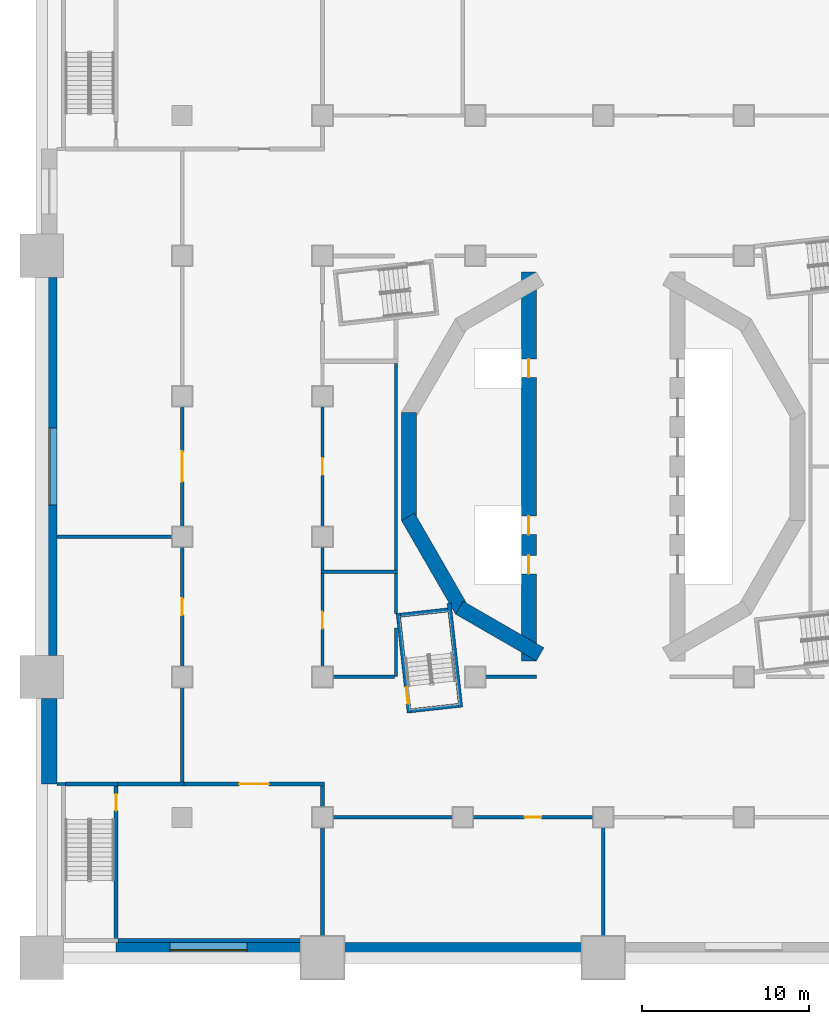
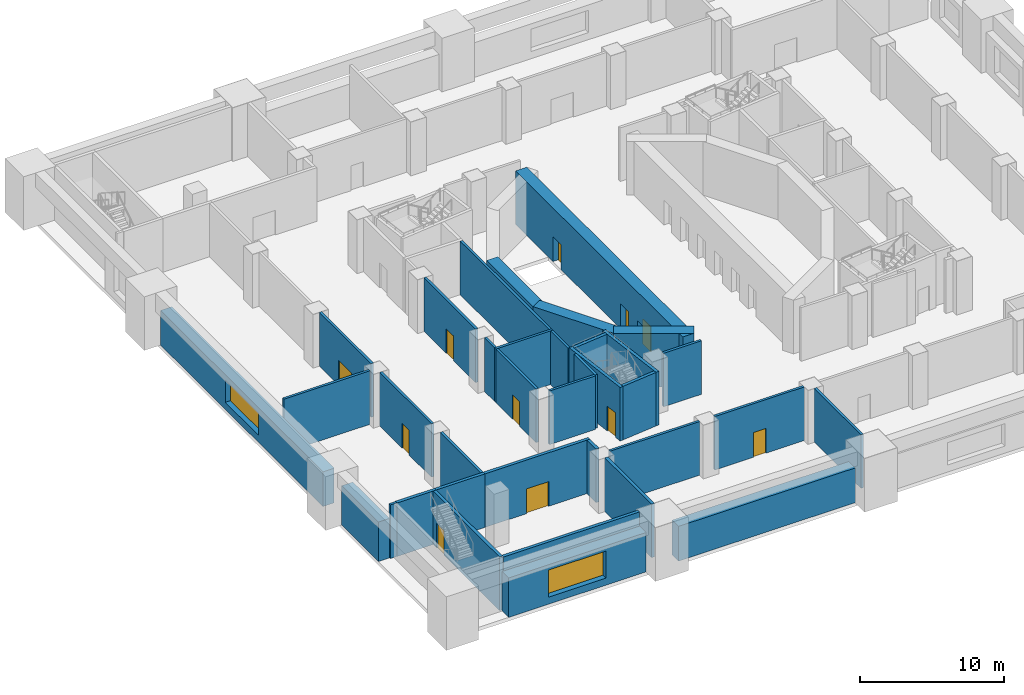
# One storey, part 2 of 17: 36 walls, 11 doors, 2 windows, 13 openings.
"""IFC4 building model written with IfcOpenShell, lengths in metres."""

from ifc_helpers import new_model, si_unit, direction, frame, frame_2d, origin, place, context, subcontext, project, spatial, rectangle, extrude, material, layer, layer_set, type_object, element, fill, save


model = new_model("IFC4")

# Units and contexts
model_context = context("Model", 3, precision=1e-05, world=origin(), true_north=direction((0.0, 1.0)))
body_context = subcontext(model_context, "Body", "Model", "MODEL_VIEW")
ifc_project = project(units=[si_unit("LENGTHUNIT", "METRE"), si_unit("AREAUNIT", "SQUARE_METRE"), si_unit("VOLUMEUNIT", "CUBIC_METRE"), si_unit("PLANEANGLEUNIT", "RADIAN"), si_unit("MASSUNIT", "GRAM", prefix="KILO")], contexts=[model_context])

# Site, building, storey
site_placement = place(None, origin())
site = spatial("IfcSite", under=ifc_project, at=site_placement, CompositionType="ELEMENT")
building_placement = place(site_placement, origin())
building = spatial("IfcBuilding", under=site, at=building_placement, Name="Cantera Rosa Tower", CompositionType="ELEMENT")
storey_placement = place(building_placement, frame((0.0, 0.0, 32.0)))
storey = spatial("IfcBuildingStorey", under=building, at=storey_placement, Name="L05", CompositionType="ELEMENT", Elevation=32.0)

# Walls
ifc_material_1 = material(Name="Masonry blockwork", Category="masonry")
ifc_layer_1 = layer(ifc_material_1, 0.199951171875)
ifc_layer_set_1 = layer_set([ifc_layer_1], Name="Blockwork partition 200")
wall_type_1 = type_object("IfcWallType", Name="Blockwork partition 200", PredefinedType="PARTITIONING", material=ifc_layer_set_1)
wall_1_placement = place(storey_placement, frame((-16.199951171875, -12.57666015625, 0.0), z_axis=(0.0, 0.0, 1.0), x_axis=(1.0, 0.0, 0.0)))
element("IfcWall", 1, at=wall_1_placement, inside=storey, type_object=wall_type_1, Name="Partition L05-1", PredefinedType="PARTITIONING", context=body_context, shape_type="SweptSolid", body=[
    extrude(rectangle(XDim=3.699951171875, YDim=0.199951171875, at=frame_2d((1.85009765625, 0.0))), origin(), (0.0, 0.0, 1.0), 4.550048828125),
])
wall_2_placement = place(storey_placement, frame((-7.050048828125, -12.57666015625, 0.0), z_axis=(0.0, 0.0, 1.0), x_axis=(1.0, 0.0, 0.0)))
element("IfcWall", 2, at=wall_2_placement, inside=storey, type_object=wall_type_1, Name="Partition L05-2", PredefinedType="PARTITIONING", context=body_context, shape_type="SweptSolid", body=[
    extrude(rectangle(XDim=3.050048828125, YDim=0.199951171875, at=frame_2d((1.52490234375, 0.0))), origin(), (0.0, 0.0, 1.0), 4.550048828125),
])
wall_3_placement = place(storey_placement, frame((-12.39990234375, -12.57666015625, 0.0), z_axis=(0.0, 0.0, 1.0), x_axis=(0.0, 1.0, 0.0)))
element("IfcWall", 3, at=wall_3_placement, inside=storey, type_object=wall_type_1, Name="Partition L05-7", PredefinedType="PARTITIONING", context=body_context, shape_type="SweptSolid", body=[
    extrude(rectangle(XDim=2.921142578125, YDim=0.199951171875, at=frame_2d((1.46044921875, 0.0))), origin(), (0.0, 0.0, 1.0), 4.550048828125),
])
wall_4_placement = place(storey_placement, frame((-12.39990234375, -8.802490234375, 0.0), z_axis=(0.0, 0.0, 1.0), x_axis=(0.0, 1.0, 0.0)))
element("IfcWall", 4, at=wall_4_placement, inside=storey, type_object=wall_type_1, Name="Partition L05-8", PredefinedType="PARTITIONING", context=body_context, shape_type="SweptSolid", body=[
    extrude(rectangle(XDim=2.402587890625, YDim=0.199951171875, at=frame_2d((1.201171875, 0.0))), origin(), (0.0, 0.0, 1.0), 4.550048828125),
])
wall_5_placement = place(storey_placement, frame((-12.39990234375, -6.199951171875, 0.0), z_axis=(0.0, 0.0, 1.0), x_axis=(0.0, 1.0, 0.0)))
element("IfcWall", 5, at=wall_5_placement, inside=storey, type_object=wall_type_1, Name="Partition L05-9", PredefinedType="PARTITIONING", context=body_context, shape_type="SweptSolid", body=[
    extrude(rectangle(XDim=12.375, YDim=0.199951171875, at=frame_2d((6.1875, 0.0))), origin(), (0.0, 0.0, 1.0), 4.550048828125),
])

# Wall, opening, door
wall_6_placement = place(storey_placement, frame((-16.800048828125, -12.0, 0.0), z_axis=(0.0, 0.0, 1.0), x_axis=(0.0, 1.0, 0.0)))
wall_6 = element("IfcWall", 6, at=wall_6_placement, inside=storey, type_object=wall_type_1, Name="Partition L05-37", PredefinedType="PARTITIONING", context=body_context, shape_type="SweptSolid", body=[
    extrude(rectangle(XDim=5.60009765625, YDim=0.199951171875, at=frame_2d((2.800048828125, 0.0))), origin(), (0.0, 0.0, 1.0), 4.550048828125),
])
opening_1_placement = place(wall_6_placement, frame((2.300048828125, 0.0, 0.0)))
opening_1 = element("IfcOpeningElement", 7, at=opening_1_placement, cuts=wall_6, Name="Opening L05-011", PredefinedType="OPENING", context=body_context, shape_type="SweptSolid", body=[
    extrude(rectangle(XDim=1.0, YDim=2.10009765625, at=frame_2d((0.5, 1.050048828125))), frame((0.0, 0.10986328125, 0.0), z_axis=(0.0, -1.0, 0.0), x_axis=(1.0, 0.0, 0.0)), (0.0, 0.0, 1.0), 0.219970703125),
])
ifc_material_2 = material(Name="Timber", Category="wood")
door_type_1 = type_object("IfcDoorType", Name="Door 1000x2100", OperationType="NOTDEFINED", PredefinedType="DOOR", material=ifc_material_2)
door_1_placement = place(opening_1_placement, origin())
door_1 = element("IfcDoor", 8, at=door_1_placement, inside=storey, type_object=door_type_1, Name="Door L05-011", OverallHeight=2.10009765625, OverallWidth=1.0, PredefinedType="DOOR", context=body_context, shape_type="SweptSolid", body=[
    extrude(rectangle(XDim=1.0, YDim=2.10009765625, at=frame_2d((0.5, 1.050048828125))), frame((0.0, 0.02490234375, 0.0), z_axis=(0.0, -1.0, 0.0), x_axis=(1.0, 0.0, 0.0)), (0.0, 0.0, 1.0), 0.050048828125),
])
fill(opening_1, door_1)

# Wall
wall_7_placement = place(storey_placement, frame((-16.800048828125, -6.199951171875, 0.0), z_axis=(0.0, 0.0, 1.0), x_axis=(0.0, 1.0, 0.0)))
element("IfcWall", 9, at=wall_7_placement, inside=storey, type_object=wall_type_1, Name="Partition L05-38", PredefinedType="PARTITIONING", context=body_context, shape_type="SweptSolid", body=[
    extrude(rectangle(XDim=1.39990234375, YDim=0.199951171875, at=frame_2d((0.699951171875, 0.0))), origin(), (0.0, 0.0, 1.0), 4.550048828125),
])

# Wall, opening, door
wall_8_placement = place(storey_placement, frame((-16.800048828125, -3.60009765625, 0.0), z_axis=(0.0, 0.0, 1.0), x_axis=(0.0, 1.0, 0.0)))
wall_8 = element("IfcWall", 10, at=wall_8_placement, inside=storey, type_object=wall_type_1, Name="Partition L05-39", PredefinedType="PARTITIONING", context=body_context, shape_type="SweptSolid", body=[
    extrude(rectangle(XDim=7.2001953125, YDim=0.199951171875, at=frame_2d((3.60009765625, 0.0))), origin(), (0.0, 0.0, 1.0), 4.550048828125),
])
opening_2_placement = place(wall_8_placement, frame((3.10009765625, 0.0, 0.0)))
opening_2 = element("IfcOpeningElement", 11, at=opening_2_placement, cuts=wall_8, Name="Opening L05-012", PredefinedType="OPENING", context=body_context, shape_type="SweptSolid", body=[
    extrude(rectangle(XDim=1.0, YDim=2.10009765625, at=frame_2d((0.5, 1.050048828125))), frame((0.0, 0.10986328125, 0.0), z_axis=(0.0, -1.0, 0.0), x_axis=(1.0, 0.0, 0.0)), (0.0, 0.0, 1.0), 0.219970703125),
])
door_2_placement = place(opening_2_placement, origin())
door_2 = element("IfcDoor", 12, at=door_2_placement, inside=storey, type_object=door_type_1, Name="Door L05-012", OverallHeight=2.10009765625, OverallWidth=1.0, PredefinedType="DOOR", context=body_context, shape_type="SweptSolid", body=[
    extrude(rectangle(XDim=1.0, YDim=2.10009765625, at=frame_2d((0.5, 1.050048828125))), frame((0.0, 0.02490234375, 0.0), z_axis=(0.0, -1.0, 0.0), x_axis=(1.0, 0.0, 0.0)), (0.0, 0.0, 1.0), 0.050048828125),
])
fill(opening_2, door_2)

# Walls
wall_9_placement = place(storey_placement, frame((-16.89990234375, -6.300048828125, 0.0), z_axis=(0.0, 0.0, 1.0), x_axis=(1.0, 0.0, 0.0)))
element("IfcWall", 13, at=wall_9_placement, inside=storey, type_object=wall_type_1, Name="Partition L05-44", PredefinedType="PARTITIONING", context=body_context, shape_type="SweptSolid", body=[
    extrude(rectangle(XDim=4.599853515625, YDim=0.199951171875, at=frame_2d((2.2998046875, 0.0))), origin(), (0.0, 0.0, 1.0), 4.550048828125),
])
wall_10_placement = place(storey_placement, frame((-32.699951171875, -19.0, 0.0), z_axis=(0.0, 0.0, 1.0), x_axis=(1.0, 0.0, 0.0)))
element("IfcWall", 14, at=wall_10_placement, inside=storey, type_object=wall_type_1, Name="Partition L05-65", PredefinedType="PARTITIONING", context=body_context, shape_type="SweptSolid", body=[
    extrude(rectangle(XDim=0.52490234375, YDim=0.199951171875, at=frame_2d((0.262451171875, 0.0))), origin(), (0.0, 0.0, 1.0), 4.550048828125),
])
wall_11_placement = place(storey_placement, frame((0.0, -28.10009765625, 0.0), z_axis=(0.0, 0.0, 1.0), x_axis=(0.0, 1.0, 0.0)))
element("IfcWall", 15, at=wall_11_placement, inside=storey, type_object=wall_type_1, Name="Partition L05-81", PredefinedType="PARTITIONING", context=body_context, shape_type="SweptSolid", body=[
    extrude(rectangle(XDim=6.5, YDim=0.199951171875, at=frame_2d((3.25, 0.0))), origin(), (0.0, 0.0, 1.0), 4.550048828125),
])
wall_12_placement = place(storey_placement, frame((-16.199951171875, -21.0, 0.0), z_axis=(0.0, 0.0, 1.0), x_axis=(1.0, 0.0, 0.0)))
element("IfcWall", 16, at=wall_12_placement, inside=storey, type_object=wall_type_1, Name="Partition L05-82", PredefinedType="PARTITIONING", context=body_context, shape_type="SweptSolid", body=[
    extrude(rectangle(XDim=7.199951171875, YDim=0.199951171875, at=frame_2d((3.60009765625, 0.0))), origin(), (0.0, 0.0, 1.0), 4.550048828125),
])

# Wall, opening, door
wall_13_placement = place(storey_placement, frame((-7.800048828125, -21.0, 0.0), z_axis=(0.0, 0.0, 1.0), x_axis=(1.0, 0.0, 0.0)))
wall_13 = element("IfcWall", 17, at=wall_13_placement, inside=storey, type_object=wall_type_1, Name="Partition L05-83", PredefinedType="PARTITIONING", context=body_context, shape_type="SweptSolid", body=[
    extrude(rectangle(XDim=7.199951171875, YDim=0.199951171875, at=frame_2d((3.60009765625, 0.0))), origin(), (0.0, 0.0, 1.0), 4.550048828125),
])
opening_3_placement = place(wall_13_placement, frame((3.10009765625, 0.0, 0.0)))
opening_3 = element("IfcOpeningElement", 18, at=opening_3_placement, cuts=wall_13, Name="Opening L05-003", PredefinedType="OPENING", context=body_context, shape_type="SweptSolid", body=[
    extrude(rectangle(XDim=1.0, YDim=2.10009765625, at=frame_2d((0.5, 1.050048828125))), frame((0.0, 0.10986328125, 0.0), z_axis=(0.0, -1.0, 0.0), x_axis=(1.0, 0.0, 0.0)), (0.0, 0.0, 1.0), 0.219970703125),
])
door_3_placement = place(opening_3_placement, origin())
door_3 = element("IfcDoor", 19, at=door_3_placement, inside=storey, type_object=door_type_1, Name="Door L05-003", OverallHeight=2.10009765625, OverallWidth=1.0, PredefinedType="DOOR", context=body_context, shape_type="SweptSolid", body=[
    extrude(rectangle(XDim=1.0, YDim=2.10009765625, at=frame_2d((0.5, 1.050048828125))), frame((0.0, 0.02490234375, 0.0), z_axis=(0.0, -1.0, 0.0), x_axis=(1.0, 0.0, 0.0)), (0.0, 0.0, 1.0), 0.050048828125),
])
fill(opening_3, door_3)

# Wall
wall_14_placement = place(storey_placement, frame((-25.199951171875, -18.875, 0.0), z_axis=(0.0, 0.0, 1.0), x_axis=(0.0, 1.0, 0.0)))
element("IfcWall", 20, at=wall_14_placement, inside=storey, type_object=wall_type_1, Name="Partition L05-91", PredefinedType="PARTITIONING", context=body_context, shape_type="SweptSolid", body=[
    extrude(rectangle(XDim=5.675048828125, YDim=0.199951171875, at=frame_2d((2.83740234375, 0.0))), origin(), (0.0, 0.0, 1.0), 4.550048828125),
])

# Wall, opening, door
wall_15_placement = place(storey_placement, frame((-25.199951171875, -12.0, 0.0), z_axis=(0.0, 0.0, 1.0), x_axis=(0.0, 1.0, 0.0)))
wall_15 = element("IfcWall", 21, at=wall_15_placement, inside=storey, type_object=wall_type_1, Name="Partition L05-92", PredefinedType="PARTITIONING", context=body_context, shape_type="SweptSolid", body=[
    extrude(rectangle(XDim=7.199951171875, YDim=0.199951171875, at=frame_2d((3.60009765625, 0.0))), origin(), (0.0, 0.0, 1.0), 4.550048828125),
])
opening_4_placement = place(wall_15_placement, frame((3.10009765625, 0.0, 0.0)))
opening_4 = element("IfcOpeningElement", 22, at=opening_4_placement, cuts=wall_15, Name="Opening L05-006", PredefinedType="OPENING", context=body_context, shape_type="SweptSolid", body=[
    extrude(rectangle(XDim=1.0, YDim=2.10009765625, at=frame_2d((0.5, 1.050048828125))), frame((0.0, 0.10986328125, 0.0), z_axis=(0.0, -1.0, 0.0), x_axis=(1.0, 0.0, 0.0)), (0.0, 0.0, 1.0), 0.219970703125),
])
door_4_placement = place(opening_4_placement, origin())
door_4 = element("IfcDoor", 23, at=door_4_placement, inside=storey, type_object=door_type_1, Name="Door L05-006", OverallHeight=2.10009765625, OverallWidth=1.0, PredefinedType="DOOR", context=body_context, shape_type="SweptSolid", body=[
    extrude(rectangle(XDim=1.0, YDim=2.10009765625, at=frame_2d((0.5, 1.050048828125))), frame((0.0, 0.02490234375, 0.0), z_axis=(0.0, -1.0, 0.0), x_axis=(1.0, 0.0, 0.0)), (0.0, 0.0, 1.0), 0.050048828125),
])
fill(opening_4, door_4)

wall_16_placement = place(storey_placement, frame((-25.199951171875, -3.60009765625, 0.0), z_axis=(0.0, 0.0, 1.0), x_axis=(0.0, 1.0, 0.0)))
wall_16 = element("IfcWall", 24, at=wall_16_placement, inside=storey, type_object=wall_type_1, Name="Partition L05-93", PredefinedType="PARTITIONING", context=body_context, shape_type="SweptSolid", body=[
    extrude(rectangle(XDim=7.2001953125, YDim=0.199951171875, at=frame_2d((3.60009765625, 0.0))), origin(), (0.0, 0.0, 1.0), 4.550048828125),
])
opening_5_placement = place(wall_16_placement, frame((2.699951171875, 0.0, 0.0)))
opening_5 = element("IfcOpeningElement", 25, at=opening_5_placement, cuts=wall_16, Name="Opening L05-007", PredefinedType="OPENING", context=body_context, shape_type="SweptSolid", body=[
    extrude(rectangle(XDim=1.800048828125, YDim=2.10009765625, at=frame_2d((0.89990234375, 1.050048828125))), frame((0.0, 0.10986328125, 0.0), z_axis=(0.0, -1.0, 0.0), x_axis=(1.0, 0.0, 0.0)), (0.0, 0.0, 1.0), 0.219970703125),
])
ifc_material_3 = material(Name="Timber", Category="wood")
door_type_2 = type_object("IfcDoorType", Name="Double door 1800x2100", OperationType="NOTDEFINED", PredefinedType="DOOR", material=ifc_material_3)
door_5_placement = place(opening_5_placement, origin())
door_5 = element("IfcDoor", 26, at=door_5_placement, inside=storey, type_object=door_type_2, Name="Door L05-007", OperationType="DOUBLE_DOOR_SINGLE_SWING", OverallHeight=2.10009765625, OverallWidth=1.800048828125, PredefinedType="DOOR", context=body_context, shape_type="SweptSolid", body=[
    extrude(rectangle(XDim=1.800048828125, YDim=2.10009765625, at=frame_2d((0.89990234375, 1.050048828125))), frame((0.0, 0.02490234375, 0.0), z_axis=(0.0, -1.0, 0.0), x_axis=(1.0, 0.0, 0.0)), (0.0, 0.0, 1.0), 0.050048828125),
])
fill(opening_5, door_5)

# Walls
wall_17_placement = place(storey_placement, frame((-32.699951171875, -4.199951171875, 0.0), z_axis=(0.0, 0.0, 1.0), x_axis=(1.0, 0.0, 0.0)))
element("IfcWall", 27, at=wall_17_placement, inside=storey, type_object=wall_type_1, Name="Partition L05-96", PredefinedType="PARTITIONING", context=body_context, shape_type="SweptSolid", body=[
    extrude(rectangle(XDim=6.89990234375, YDim=0.199951171875, at=frame_2d((3.449951171875, 0.0))), origin(), (0.0, 0.0, 1.0), 4.550048828125),
])
ifc_material_4 = material(Name="Concrete C70/85", Category="concrete")
ifc_layer_2 = layer(ifc_material_4, 0.89990234375)
ifc_layer_set_2 = layer_set([ifc_layer_2], Name="Drum wall 900")
wall_type_2 = type_object("IfcWallType", Name="Drum wall 900", PredefinedType="SHEAR", material=ifc_layer_set_2)
wall_18_placement = place(storey_placement, frame((-3.77490234375, -11.242919921875, 0.0), z_axis=(0.0, 0.0, 1.0), x_axis=(-0.866026961591, 0.49999730179, 0.0)))
element("IfcWall", 28, at=wall_18_placement, inside=storey, type_object=wall_type_2, Name="Drum wall west 1 L05", PredefinedType="SHEAR", context=body_context, shape_type="SweptSolid", body=[
    extrude(rectangle(XDim=5.58740234375, YDim=0.89990234375, at=frame_2d((2.793701171875, 0.0))), origin(), (0.0, 0.0, 1.0), 4.550048828125),
])
wall_19_placement = place(storey_placement, frame((-8.44921875, -8.61376953125, 0.0), z_axis=(0.0, 0.0, 1.0), x_axis=(-0.499990282633, 0.866031014036, 0.0)))
element("IfcWall", 29, at=wall_19_placement, inside=storey, type_object=wall_type_2, Name="Drum wall west 2 L05", PredefinedType="SHEAR", context=body_context, shape_type="SweptSolid", body=[
    extrude(rectangle(XDim=6.470458984375, YDim=0.89990234375, at=frame_2d((3.2353515625, 0.0))), origin(), (0.0, 0.0, 1.0), 4.550048828125),
])
wall_20_placement = place(storey_placement, frame((-11.6240234375, -3.2353515625, 0.0), z_axis=(0.0, 0.0, 1.0), x_axis=(0.0, 1.0, 0.0)))
element("IfcWall", 30, at=wall_20_placement, inside=storey, type_object=wall_type_2, Name="Drum wall west 3 L05", PredefinedType="SHEAR", context=body_context, shape_type="SweptSolid", body=[
    extrude(rectangle(XDim=6.470703125, YDim=0.89990234375, at=frame_2d((3.2353515625, 0.0))), origin(), (0.0, 0.0, 1.0), 4.550048828125),
])

# Wall, openings, doors
wall_21_placement = place(storey_placement, frame((-4.449951171875, 11.632568359375, 0.0), z_axis=(0.0, 0.0, 1.0), x_axis=(0.0, -1.0, 0.0)))
wall_21 = element("IfcWall", 31, at=wall_21_placement, inside=storey, type_object=wall_type_2, Name="Drum wall west 6 L05", PredefinedType="SHEAR", context=body_context, shape_type="SweptSolid", body=[
    extrude(rectangle(XDim=23.26513671875, YDim=0.89990234375, at=frame_2d((11.632568359375, 0.0))), origin(), (0.0, 0.0, 1.0), 4.550048828125),
])
opening_6_placement = place(wall_21_placement, frame((14.607421875, 0.0, 0.0)))
opening_6 = element("IfcOpeningElement", 32, at=opening_6_placement, cuts=wall_21, Name="Opening LD-P3-L05", PredefinedType="OPENING", context=body_context, shape_type="SweptSolid", body=[
    extrude(rectangle(XDim=1.10009765625, YDim=2.10009765625, at=frame_2d((0.550048828125, 1.050048828125))), frame((0.0, 0.4599609375, 0.0), z_axis=(0.0, -1.0, 0.0), x_axis=(1.0, 0.0, 0.0)), (0.0, 0.0, 1.0), 0.919921875),
])
opening_7_placement = place(wall_21_placement, frame((16.95751953125, 0.0, 0.0)))
opening_7 = element("IfcOpeningElement", 33, at=opening_7_placement, cuts=wall_21, Name="Opening LD-P4-L05", PredefinedType="OPENING", context=body_context, shape_type="SweptSolid", body=[
    extrude(rectangle(XDim=1.10009765625, YDim=2.10009765625, at=frame_2d((0.550048828125, 1.050048828125))), frame((0.0, 0.4599609375, 0.0), z_axis=(0.0, -1.0, 0.0), x_axis=(1.0, 0.0, 0.0)), (0.0, 0.0, 1.0), 0.919921875),
])
opening_8_placement = place(wall_21_placement, frame((5.20751953125, 0.0, 0.0)))
opening_8 = element("IfcOpeningElement", 34, at=opening_8_placement, cuts=wall_21, Name="Opening LD-P5-L05", PredefinedType="OPENING", context=body_context, shape_type="SweptSolid", body=[
    extrude(rectangle(XDim=1.10009765625, YDim=2.10009765625, at=frame_2d((0.550048828125, 1.050048828125))), frame((0.0, 0.4599609375, 0.0), z_axis=(0.0, -1.0, 0.0), x_axis=(1.0, 0.0, 0.0)), (0.0, 0.0, 1.0), 0.919921875),
])
ifc_material_5 = material(Name="Steel S355J2 (EN 10025-2)", Category="steel")
door_type_3 = type_object("IfcDoorType", Name="LANDING DOOR 1100x2100", OperationType="NOTDEFINED", PredefinedType="DOOR", material=ifc_material_5)
door_6_placement = place(opening_6_placement, origin())
door_6 = element("IfcDoor", 35, at=door_6_placement, inside=storey, type_object=door_type_3, Name="LANDING DOOR P3 L05", OperationType="SLIDING_TO_LEFT", OverallHeight=2.10009765625, OverallWidth=1.10009765625, PredefinedType="DOOR", context=body_context, shape_type="SweptSolid", body=[
    extrude(rectangle(XDim=1.10009765625, YDim=2.10009765625, at=frame_2d((0.550048828125, 1.050048828125))), frame((0.0, 0.02490234375, 0.0), z_axis=(0.0, -1.0, 0.0), x_axis=(1.0, 0.0, 0.0)), (0.0, 0.0, 1.0), 0.050048828125),
])
fill(opening_6, door_6)
door_7_placement = place(opening_7_placement, origin())
door_7 = element("IfcDoor", 36, at=door_7_placement, inside=storey, type_object=door_type_3, Name="LANDING DOOR P4 L05", OperationType="SLIDING_TO_LEFT", OverallHeight=2.10009765625, OverallWidth=1.10009765625, PredefinedType="DOOR", context=body_context, shape_type="SweptSolid", body=[
    extrude(rectangle(XDim=1.10009765625, YDim=2.10009765625, at=frame_2d((0.550048828125, 1.050048828125))), frame((0.0, 0.02490234375, 0.0), z_axis=(0.0, -1.0, 0.0), x_axis=(1.0, 0.0, 0.0)), (0.0, 0.0, 1.0), 0.050048828125),
])
fill(opening_7, door_7)
door_8_placement = place(opening_8_placement, origin())
door_8 = element("IfcDoor", 37, at=door_8_placement, inside=storey, type_object=door_type_3, Name="LANDING DOOR P5 L05", OperationType="SLIDING_TO_LEFT", OverallHeight=2.10009765625, OverallWidth=1.10009765625, PredefinedType="DOOR", context=body_context, shape_type="SweptSolid", body=[
    extrude(rectangle(XDim=1.10009765625, YDim=2.10009765625, at=frame_2d((0.550048828125, 1.050048828125))), frame((0.0, 0.02490234375, 0.0), z_axis=(0.0, -1.0, 0.0), x_axis=(1.0, 0.0, 0.0)), (0.0, 0.0, 1.0), 0.050048828125),
])
fill(opening_8, door_8)

# Walls
ifc_material_6 = material(Name="Masonry blockwork", Category="masonry")
ifc_layer_3 = layer(ifc_material_6, 0.25)
ifc_layer_set_3 = layer_set([ifc_layer_3], Name="Fire-rated external wall 250")
wall_type_3 = type_object("IfcWallType", Name="Fire-rated external wall 250", PredefinedType="PARTITIONING", material=ifc_layer_set_3)
wall_22_placement = place(storey_placement, frame((-29.02490234375, -28.375, 0.0), z_axis=(0.0, 0.0, 1.0), x_axis=(1.0, 0.0, 0.0)))
element("IfcWall", 38, at=wall_22_placement, inside=storey, type_object=wall_type_3, Name="Fire wall L05-73", PredefinedType="PARTITIONING", context=body_context, shape_type="SweptSolid", body=[
    extrude(rectangle(XDim=10.9248046875, YDim=0.25, at=frame_2d((5.46240234375, 0.0))), origin(), (0.0, 0.0, 1.0), 4.550048828125),
])
ifc_material_7 = material(Name="Masonry blockwork", Category="masonry")
ifc_layer_4 = layer(ifc_material_7, 0.25)
ifc_layer_set_4 = layer_set([ifc_layer_4], Name="Fire-rated wall 250")
wall_type_4 = type_object("IfcWallType", Name="Fire-rated wall 250", PredefinedType="PARTITIONING", material=ifc_layer_set_4)
wall_23_placement = place(storey_placement, frame((-16.800048828125, -28.10009765625, 0.0), z_axis=(0.0, 0.0, 1.0), x_axis=(0.0, 1.0, 0.0)))
element("IfcWall", 39, at=wall_23_placement, inside=storey, type_object=wall_type_4, Name="Fire wall L05-35", PredefinedType="PARTITIONING", context=body_context, shape_type="SweptSolid", body=[
    extrude(rectangle(XDim=6.5, YDim=0.25, at=frame_2d((3.25, 0.0))), origin(), (0.0, 0.0, 1.0), 4.550048828125),
])
wall_24_placement = place(storey_placement, frame((-16.800048828125, -20.39990234375, 0.0), z_axis=(0.0, 0.0, 1.0), x_axis=(0.0, 1.0, 0.0)))
element("IfcWall", 40, at=wall_24_placement, inside=storey, type_object=wall_type_4, Name="Fire wall L05-36", PredefinedType="PARTITIONING", context=body_context, shape_type="SweptSolid", body=[
    extrude(rectangle(XDim=1.27490234375, YDim=0.25, at=frame_2d((0.637451171875, 0.0))), origin(), (0.0, 0.0, 1.0), 4.550048828125),
])
wall_25_placement = place(storey_placement, frame((-29.02490234375, -19.0, 0.0), z_axis=(0.0, 0.0, 1.0), x_axis=(1.0, 0.0, 0.0)))
element("IfcWall", 41, at=wall_25_placement, inside=storey, type_object=wall_type_4, Name="Fire wall L05-67", PredefinedType="PARTITIONING", context=body_context, shape_type="SweptSolid", body=[
    extrude(rectangle(XDim=3.9248046875, YDim=0.25, at=frame_2d((1.96240234375, 0.0))), origin(), (0.0, 0.0, 1.0), 4.550048828125),
])

# Wall, opening, door
wall_26_placement = place(storey_placement, frame((-25.10009765625, -19.0, 0.0), z_axis=(0.0, 0.0, 1.0), x_axis=(1.0, 0.0, 0.0)))
wall_26 = element("IfcWall", 42, at=wall_26_placement, inside=storey, type_object=wall_type_4, Name="Fire wall L05-68", PredefinedType="PARTITIONING", context=body_context, shape_type="SweptSolid", body=[
    extrude(rectangle(XDim=8.425048828125, YDim=0.25, at=frame_2d((4.21240234375, 0.0))), origin(), (0.0, 0.0, 1.0), 4.550048828125),
])
opening_9_placement = place(wall_26_placement, frame((3.3125, 0.0, 0.0)))
opening_9 = element("IfcOpeningElement", 43, at=opening_9_placement, cuts=wall_26, Name="Opening L05-020", PredefinedType="OPENING", context=body_context, shape_type="SweptSolid", body=[
    extrude(rectangle(XDim=1.800048828125, YDim=2.10009765625, at=frame_2d((0.89990234375, 1.050048828125))), frame((0.0, 0.135009765625, 0.0), z_axis=(0.0, -1.0, 0.0), x_axis=(1.0, 0.0, 0.0)), (0.0, 0.0, 1.0), 0.27001953125),
])
ifc_material_8 = material(Name="Steel S355J2 (EN 10025-2)", Category="steel")
door_type_4 = type_object("IfcDoorType", Name="Fire double door 1800x2100", OperationType="NOTDEFINED", PredefinedType="DOOR", material=ifc_material_8)
door_9_placement = place(opening_9_placement, origin())
door_9 = element("IfcDoor", 44, at=door_9_placement, inside=storey, type_object=door_type_4, Name="Door L05-020", OperationType="DOUBLE_DOOR_SINGLE_SWING", OverallHeight=2.10009765625, OverallWidth=1.800048828125, PredefinedType="DOOR", context=body_context, shape_type="SweptSolid", body=[
    extrude(rectangle(XDim=1.800048828125, YDim=2.10009765625, at=frame_2d((0.89990234375, 1.050048828125))), frame((0.0, 0.02490234375, 0.0), z_axis=(0.0, -1.0, 0.0), x_axis=(1.0, 0.0, 0.0)), (0.0, 0.0, 1.0), 0.050048828125),
])
fill(opening_9, door_9)

ifc_material_9 = material(Name="Concrete C50/60", Category="concrete")
ifc_layer_5 = layer(ifc_material_9, 0.25)
ifc_layer_set_5 = layer_set([ifc_layer_5], Name="RC stair wall 250 C50/60")
wall_type_5 = type_object("IfcWallType", Name="RC stair wall 250", PredefinedType="SOLIDWALL", material=ifc_layer_set_5)
wall_27_placement = place(storey_placement, frame((-29.14990234375, -28.375, 0.0), z_axis=(0.0, 0.0, 1.0), x_axis=(0.0, 1.0, 0.0)))
wall_27 = element("IfcWall", 45, at=wall_27_placement, inside=storey, type_object=wall_type_5, Name="Stair wall L05-61", PredefinedType="SOLIDWALL", context=body_context, shape_type="SweptSolid", body=[
    extrude(rectangle(XDim=9.25, YDim=0.25, at=frame_2d((4.625, 0.0))), origin(), (0.0, 0.0, 1.0), 4.550048828125),
])
opening_10_placement = place(wall_27_placement, frame((7.77490234375, 0.0, 0.0)))
opening_10 = element("IfcOpeningElement", 46, at=opening_10_placement, cuts=wall_27, Name="Opening L05-021", PredefinedType="OPENING", context=body_context, shape_type="SweptSolid", body=[
    extrude(rectangle(XDim=1.0, YDim=2.10009765625, at=frame_2d((0.5, 1.050048828125))), frame((0.0, 0.135009765625, 0.0), z_axis=(0.0, -1.0, 0.0), x_axis=(1.0, 0.0, 0.0)), (0.0, 0.0, 1.0), 0.27001953125),
])
ifc_material_10 = material(Name="Steel S355J2 (EN 10025-2)", Category="steel")
door_type_5 = type_object("IfcDoorType", Name="Fire door 1000x2100 EI 120", OperationType="NOTDEFINED", PredefinedType="DOOR", material=ifc_material_10)
door_10_placement = place(opening_10_placement, origin())
door_10 = element("IfcDoor", 47, at=door_10_placement, inside=storey, type_object=door_type_5, Name="Door L05-021", OverallHeight=2.10009765625, OverallWidth=1.0, PredefinedType="DOOR", context=body_context, shape_type="SweptSolid", body=[
    extrude(rectangle(XDim=1.0, YDim=2.10009765625, at=frame_2d((0.5, 1.050048828125))), frame((0.0, 0.02490234375, 0.0), z_axis=(0.0, -1.0, 0.0), x_axis=(1.0, 0.0, 0.0)), (0.0, 0.0, 1.0), 0.050048828125),
])
fill(opening_10, door_10)

# Walls
wall_28_placement = place(storey_placement, frame((-32.175048828125, -19.0, 0.0), z_axis=(0.0, 0.0, 1.0), x_axis=(1.0, 0.0, 0.0)))
element("IfcWall", 48, at=wall_28_placement, inside=storey, type_object=wall_type_5, Name="Stair wall L05-66", PredefinedType="SOLIDWALL", context=body_context, shape_type="SweptSolid", body=[
    extrude(rectangle(XDim=3.150146484375, YDim=0.25, at=frame_2d((1.5751953125, 0.0))), origin(), (0.0, 0.0, 1.0), 4.550048828125),
])
wall_29_placement = place(storey_placement, frame((-8.66650390625, -14.30029296875, 0.0), z_axis=(0.0, 0.0, 1.0), x_axis=(-0.993904609394, -0.110243491536, 0.0)))
element("IfcWall", 49, at=wall_29_placement, inside=storey, type_object=wall_type_5, Name="Stair wall ST-13 L05-1", PredefinedType="SOLIDWALL", context=body_context, shape_type="SweptSolid", body=[
    extrude(rectangle(XDim=2.85009765625, YDim=0.25, at=frame_2d((1.425048828125, 0.0))), origin(), (0.0, 0.0, 1.0), 4.550048828125),
])

# Wall, opening, door
wall_30_placement = place(storey_placement, frame((-11.609619140625, -14.752685546875, 0.0), z_axis=(0.0, 0.0, 1.0), x_axis=(-0.110310943534, 0.993897125329, 0.0)))
wall_30 = element("IfcWall", 50, at=wall_30_placement, inside=storey, type_object=wall_type_5, Name="Stair wall ST-13 L05-2", PredefinedType="SOLIDWALL", context=body_context, shape_type="SweptSolid", body=[
    extrude(rectangle(XDim=6.0, YDim=0.25, at=frame_2d((3.0, 0.0))), origin(), (0.0, 0.0, 1.0), 4.550048828125),
])
opening_11_placement = place(wall_30_placement, frame((0.550048828125, 0.0, 0.0)))
opening_11 = element("IfcOpeningElement", 51, at=opening_11_placement, cuts=wall_30, Name="Opening L05-ST-13", PredefinedType="OPENING", context=body_context, shape_type="SweptSolid", body=[
    extrude(rectangle(XDim=1.0, YDim=2.10009765625, at=frame_2d((0.5, 1.050048828125))), frame((0.0, 0.135009765625, 0.0), z_axis=(0.0, -1.0, 0.0), x_axis=(1.0, 0.0, 0.0)), (0.0, 0.0, 1.0), 0.27001953125),
])
door_11_placement = place(opening_11_placement, origin())
door_11 = element("IfcDoor", 52, at=door_11_placement, inside=storey, type_object=door_type_5, Name="Door L05-ST-13", OverallHeight=2.10009765625, OverallWidth=1.0, PredefinedType="DOOR", context=body_context, shape_type="SweptSolid", body=[
    extrude(rectangle(XDim=1.0, YDim=2.10009765625, at=frame_2d((0.5, 1.050048828125))), frame((0.0, 0.02490234375, 0.0), z_axis=(0.0, -1.0, 0.0), x_axis=(1.0, 0.0, 0.0)), (0.0, 0.0, 1.0), 0.050048828125),
])
fill(opening_11, door_11)

# Walls
wall_31_placement = place(storey_placement, frame((-12.133544921875, -8.899658203125, 0.0), z_axis=(0.0, 0.0, 1.0), x_axis=(0.993904609394, 0.110243491536, 0.0)))
element("IfcWall", 53, at=wall_31_placement, inside=storey, type_object=wall_type_5, Name="Stair wall ST-13 L05-3", PredefinedType="SOLIDWALL", context=body_context, shape_type="SweptSolid", body=[
    extrude(rectangle(XDim=2.85009765625, YDim=0.25, at=frame_2d((1.425048828125, 0.0))), origin(), (0.0, 0.0, 1.0), 4.550048828125),
])
wall_32_placement = place(storey_placement, frame((-9.22021484375, -8.17822265625, 0.0), z_axis=(0.0, 0.0, 1.0), x_axis=(0.110299055694, -0.993898444668, 0.0)))
element("IfcWall", 54, at=wall_32_placement, inside=storey, type_object=wall_type_5, Name="Stair wall ST-13 L05-4", PredefinedType="SOLIDWALL", context=body_context, shape_type="SweptSolid", body=[
    extrude(rectangle(XDim=6.270751953125, YDim=0.25, at=frame_2d((3.13525390625, 0.0))), origin(), (0.0, 0.0, 1.0), 4.550048828125),
])

# Wall, opening, window
ifc_material_11 = material(Name="Concrete C40/50 with limestone facing", Category="masonry")
ifc_layer_6 = layer(ifc_material_11, 0.89990234375)
ifc_layer_set_6 = layer_set([ifc_layer_6], Name="Stone podium wall 900")
wall_type_6 = type_object("IfcWallType", Name="Stone podium wall 900", PredefinedType="SOLIDWALL", material=ifc_layer_set_6)
wall_33_placement = place(storey_placement, frame((-18.10009765625, -28.949951171875, 0.0), z_axis=(0.0, 0.0, 1.0), x_axis=(-1.0, 0.0, 0.0)))
wall_33 = element("IfcWall", 55, at=wall_33_placement, inside=storey, type_object=wall_type_6, Name="Stone wall S L05-1", PredefinedType="SOLIDWALL", context=body_context, shape_type="SweptSolid", body=[
    extrude(rectangle(XDim=11.0498046875, YDim=0.89990234375, at=frame_2d((5.52490234375, 0.0))), origin(), (0.0, 0.0, 1.0), 3.35009765625),
])
opening_12_placement = place(wall_33_placement, frame((3.22509765625, 0.0, 0.60009765625)))
opening_12 = element("IfcOpeningElement", 56, at=opening_12_placement, cuts=wall_33, Name="Opening L05-PWS1", PredefinedType="OPENING", context=body_context, shape_type="SweptSolid", body=[
    extrude(rectangle(XDim=4.60009765625, YDim=2.300048828125, at=frame_2d((2.300048828125, 1.14990234375))), frame((0.0, 0.4599609375, 0.0), z_axis=(0.0, -1.0, 0.0), x_axis=(1.0, 0.0, 0.0)), (0.0, 0.0, 1.0), 0.919921875),
])
ifc_material_12 = material(Name="Glass", Category="glass")
window_type_1 = type_object("IfcWindowType", Name="Podium window 4600x2300", PartitioningType="SINGLE_PANEL", PredefinedType="WINDOW", material=ifc_material_12)
window_1_placement = place(opening_12_placement, origin())
window_1 = element("IfcWindow", 57, at=window_1_placement, inside=storey, type_object=window_type_1, Name="Podium window L05-S1", OverallHeight=2.300048828125, OverallWidth=4.60009765625, PartitioningType="SINGLE_PANEL", PredefinedType="WINDOW", context=body_context, shape_type="SweptSolid", body=[
    extrude(rectangle(XDim=4.60009765625, YDim=2.300048828125, at=frame_2d((2.300048828125, 1.14990234375))), frame((0.0, 0.030029296875, 0.0), z_axis=(0.0, -1.0, 0.0), x_axis=(1.0, 0.0, 0.0)), (0.0, 0.0, 1.0), 0.06005859375),
])
fill(opening_12, window_1)

# Walls
wall_34_placement = place(storey_placement, frame((-33.14990234375, -13.89990234375, 0.0), z_axis=(0.0, 0.0, 1.0), x_axis=(0.0, -1.0, 0.0)))
element("IfcWall", 58, at=wall_34_placement, inside=storey, type_object=wall_type_6, Name="Stone wall W L05-1", PredefinedType="SOLIDWALL", context=body_context, shape_type="SweptSolid", body=[
    extrude(rectangle(XDim=5.10009765625, YDim=0.89990234375, at=frame_2d((2.550048828125, 0.0))), origin(), (0.0, 0.0, 1.0), 3.35009765625),
])
ifc_material_13 = material(Name="Concrete C40/50 with limestone facing", Category="masonry")
ifc_layer_7 = layer(ifc_material_13, 0.89990234375)
ifc_layer_set_7 = layer_set([ifc_layer_7], Name="Stone podium wall 900 under deep girder")
wall_type_7 = type_object("IfcWallType", Name="Stone podium wall 900 under deep girder", PredefinedType="SOLIDWALL", material=ifc_layer_set_7)
wall_35_placement = place(storey_placement, frame((-1.300048828125, -28.949951171875, 0.0), z_axis=(0.0, 0.0, 1.0), x_axis=(-1.0, 0.0, 0.0)))
element("IfcWall", 59, at=wall_35_placement, inside=storey, type_object=wall_type_7, Name="Stone wall S L05-2", PredefinedType="SOLIDWALL", context=body_context, shape_type="SweptSolid", body=[
    extrude(rectangle(XDim=14.199951171875, YDim=0.89990234375, at=frame_2d((7.10009765625, 0.0))), origin(), (0.0, 0.0, 1.0), 2.949951171875),
])

# Wall, opening, window
wall_36_placement = place(storey_placement, frame((-33.14990234375, 11.300048828125, 0.0), z_axis=(0.0, 0.0, 1.0), x_axis=(0.0, -1.0, 0.0)))
wall_36 = element("IfcWall", 60, at=wall_36_placement, inside=storey, type_object=wall_type_7, Name="Stone wall W L05-2", PredefinedType="SOLIDWALL", context=body_context, shape_type="SweptSolid", body=[
    extrude(rectangle(XDim=22.60009765625, YDim=0.89990234375, at=frame_2d((11.300048828125, 0.0))), origin(), (0.0, 0.0, 1.0), 2.949951171875),
])
opening_13_placement = place(wall_36_placement, frame((9.0, 0.0, 0.60009765625)))
opening_13 = element("IfcOpeningElement", 61, at=opening_13_placement, cuts=wall_36, Name="Opening L05-PWW2", PredefinedType="OPENING", context=body_context, shape_type="SweptSolid", body=[
    extrude(rectangle(XDim=4.60009765625, YDim=1.89990234375, at=frame_2d((2.300048828125, 0.949951171875))), frame((0.0, 0.4599609375, 0.0), z_axis=(0.0, -1.0, 0.0), x_axis=(1.0, 0.0, 0.0)), (0.0, 0.0, 1.0), 0.919921875),
])
ifc_material_14 = material(Name="Glass", Category="glass")
window_type_2 = type_object("IfcWindowType", Name="Podium window 4600x1900", PartitioningType="SINGLE_PANEL", PredefinedType="WINDOW", material=ifc_material_14)
window_2_placement = place(opening_13_placement, origin())
window_2 = element("IfcWindow", 62, at=window_2_placement, inside=storey, type_object=window_type_2, Name="Podium window L05-W2", OverallHeight=1.89990234375, OverallWidth=4.60009765625, PartitioningType="SINGLE_PANEL", PredefinedType="WINDOW", context=body_context, shape_type="SweptSolid", body=[
    extrude(rectangle(XDim=4.60009765625, YDim=1.89990234375, at=frame_2d((2.300048828125, 0.949951171875))), frame((0.0, 0.030029296875, 0.0), z_axis=(0.0, -1.0, 0.0), x_axis=(1.0, 0.0, 0.0)), (0.0, 0.0, 1.0), 0.06005859375),
])
fill(opening_13, window_2)

save(model, "model.ifc")
